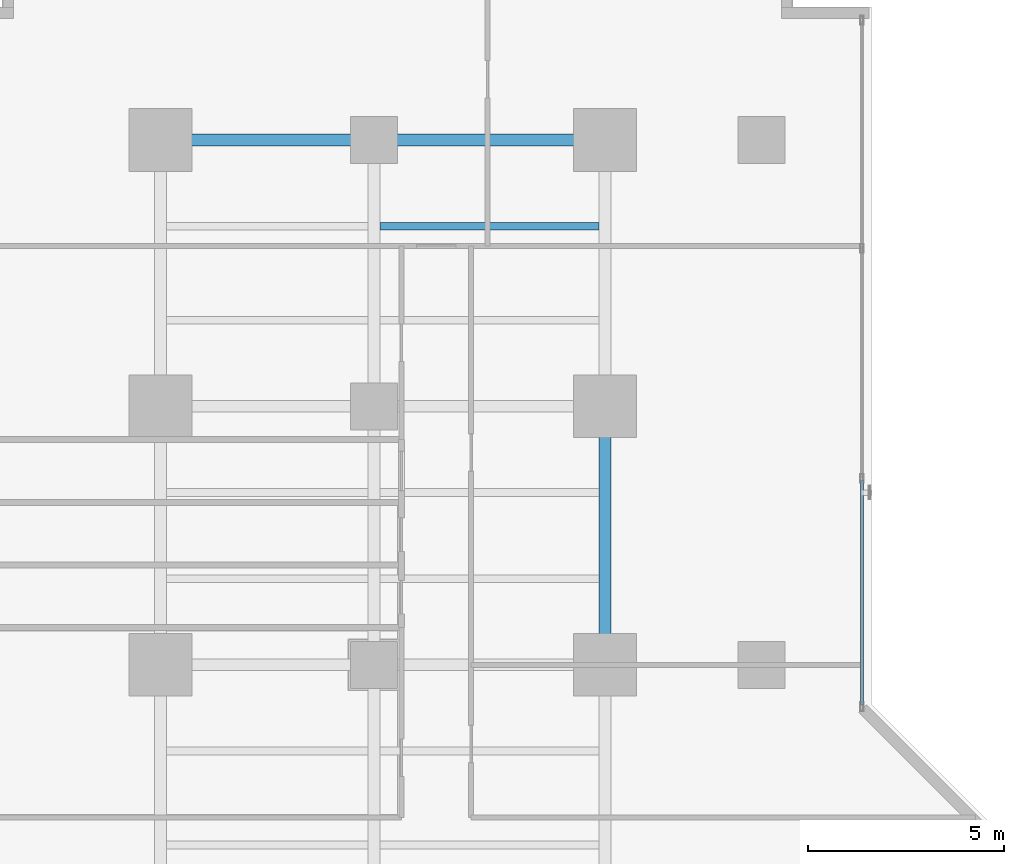
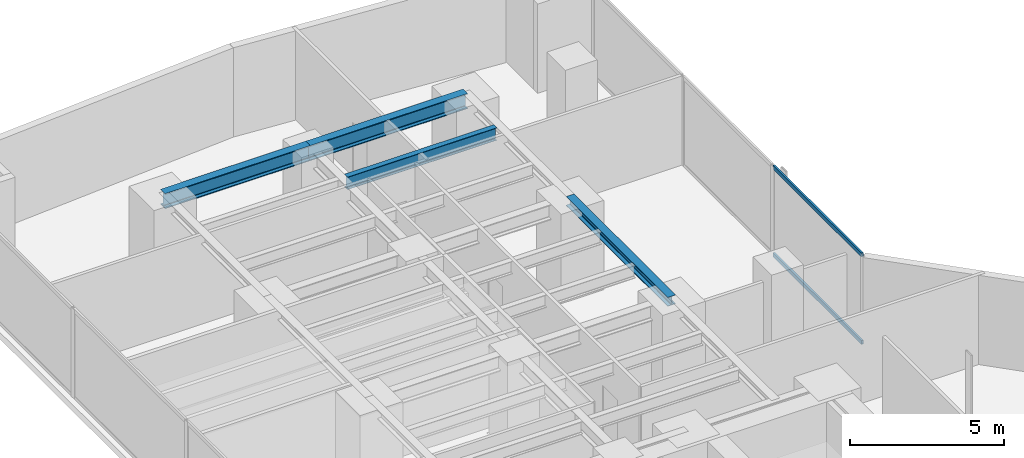
# One storey, part 18 of 30: 4 beams, 2 members, 1 element without a shape of its own.
"""IFC4 building model written with IfcOpenShell, lengths in metres."""

from ifc_helpers import new_model, si_unit, direction, frame, origin, origin_with_axes, origin_2d, place, context, subcontext, project, spatial, hollow_rectangle, i_section, extrude, source, transform, mapped, material, layer, layer_set, material_profile, profile_set, type_object, element, aggregate, save


model = new_model("IFC4")

# Units and contexts
model_context = context("Model", 3, precision=1e-05, world=origin(), true_north=direction((0.0, 1.0)))
body_context = subcontext(model_context, "Body", "Model", "MODEL_VIEW")
ifc_project = project(units=[si_unit("LENGTHUNIT", "METRE"), si_unit("AREAUNIT", "SQUARE_METRE"), si_unit("VOLUMEUNIT", "CUBIC_METRE"), si_unit("PLANEANGLEUNIT", "RADIAN"), si_unit("MASSUNIT", "GRAM", prefix="KILO")], contexts=[model_context])

# Site, building, storey
site_placement = place(None, origin())
site = spatial("IfcSite", under=ifc_project, at=site_placement, CompositionType="ELEMENT")
building_placement = place(site_placement, origin())
building = spatial("IfcBuilding", under=site, at=building_placement, Name="Kolvaren Waterfront Exchange", CompositionType="ELEMENT")
storey_placement = place(building_placement, frame((0.0, 0.0, 52.39990234375)))
storey = spatial("IfcBuildingStorey", under=building, at=storey_placement, Name="L13", CompositionType="ELEMENT", Elevation=52.39990234375)

# Beams
ifc_material_1 = material(Name="Steel S355", Category="steel")
ifc_material_profile_1 = material_profile(ifc_material_1, i_section(OverallWidth=0.300048828125, OverallDepth=0.360107421875, WebThickness=0.012451171875, FlangeThickness=0.0224609375, FilletRadius=0.027099609375, at=origin_2d()), Name="HEB360")
ifc_profile_set_1 = profile_set([ifc_material_profile_1], Name="Steel S355")
beam_type_1 = type_object("IfcBeamType", Name="STR-BM-HEB360", PredefinedType="SPANDREL", material=ifc_profile_set_1)
beam_1_placement = place(storey_placement, frame((18.800048828125, 31.199951171875, 3.360107421875), z_axis=(0.0, 1.0, 0.0), x_axis=(-1.0, 0.0, 0.0)))
element("IfcBeam", 1, at=beam_1_placement, inside=storey, type_object=beam_type_1, Name="L13 north-arm edge beam 2", PredefinedType="SPANDREL", context=body_context, shape_type="SweptSolid", body=[
    extrude(i_section(OverallWidth=0.300048828125, OverallDepth=0.360107421875, WebThickness=0.012451171875, FlangeThickness=0.0224609375, FilletRadius=0.027099609375, at=origin_2d()), origin(), (0.0, 0.0, 1.0), 6.60009765625),
])
ifc_material_profile_2 = material_profile(ifc_material_1, i_section(OverallWidth=0.300048828125, OverallDepth=0.60009765625, WebThickness=0.015380859375, FlangeThickness=0.030029296875, FilletRadius=0.027099609375, at=origin_2d()), Name="HEB600")
ifc_profile_set_2 = profile_set([ifc_material_profile_2], Name="Steel S355")
beam_type_2 = type_object("IfcBeamType", Name="STR-BM-HEB600", PredefinedType="BEAM", material=ifc_profile_set_2)
beam_2_placement = place(storey_placement, frame((7.449951171875, 44.60009765625, 3.239990234375), z_axis=(1.0, 0.0, 0.0), x_axis=(0.0, 1.0, 0.0)))
element("IfcBeam", 2, at=beam_2_placement, inside=storey, type_object=beam_type_2, Name="L13 north-arm girder 4A", PredefinedType="BEAM", context=body_context, shape_type="SweptSolid", body=[
    extrude(i_section(OverallWidth=0.300048828125, OverallDepth=0.60009765625, WebThickness=0.015380859375, FlangeThickness=0.030029296875, FilletRadius=0.027099609375, at=origin_2d()), origin(), (0.0, 0.0, 1.0), 5.449951171875),
])
beam_3_placement = place(storey_placement, frame((12.89990234375, 44.60009765625, 3.239990234375), z_axis=(1.0, 0.0, 0.0), x_axis=(0.0, 1.0, 0.0)))
element("IfcBeam", 3, at=beam_3_placement, inside=storey, type_object=beam_type_2, Name="L13 north-arm girder 4B", PredefinedType="BEAM", context=body_context, shape_type="SweptSolid", body=[
    extrude(i_section(OverallWidth=0.300048828125, OverallDepth=0.60009765625, WebThickness=0.015380859375, FlangeThickness=0.030029296875, FilletRadius=0.027099609375, at=origin_2d()), origin(), (0.0, 0.0, 1.0), 5.900146484375),
])
ifc_material_profile_3 = material_profile(ifc_material_1, i_section(OverallWidth=0.199951171875, OverallDepth=0.5, WebThickness=0.01025390625, FlangeThickness=0.01611328125, FilletRadius=0.02099609375, at=origin_2d()), Name="IPE500")
ifc_profile_set_3 = profile_set([ifc_material_profile_3], Name="Steel S355")
beam_type_3 = type_object("IfcBeamType", Name="STR-BM-IPE500", PredefinedType="JOIST", material=ifc_profile_set_3)
beam_4_placement = place(storey_placement, frame((13.052001953125, 42.39990234375, 3.2900390625), z_axis=(1.0, 0.0, 0.0), x_axis=(0.0, 1.0, 0.0)))
element("IfcBeam", 4, at=beam_4_placement, inside=storey, type_object=beam_type_3, Name="L13 north-arm composite joist 6B", PredefinedType="JOIST", context=body_context, shape_type="SweptSolid", body=[
    extrude(i_section(OverallWidth=0.199951171875, OverallDepth=0.5, WebThickness=0.01025390625, FlangeThickness=0.01611328125, FilletRadius=0.02099609375, at=origin_2d()), origin(), (0.0, 0.0, 1.0), 5.595947265625),
])

# Curtain wall, members
ifc_material_2 = material(Name="Anodised bronze aluminium 6063-T6", Category="aluminium")
ifc_layer = layer(ifc_material_2, 0.219970703125, Name="Anodised bronze aluminium 6063-T6")
ifc_layer_set = layer_set([ifc_layer], Name="Anodised bronze aluminium 6063-T6")
curtain_wall_type = type_object("IfcCurtainWallType", Name="ARC-CW-SYS1", PredefinedType="USERDEFINED", material=ifc_layer_set)
curtain_wall_placement = place(storey_placement, origin())
curtain_wall = element("IfcCurtainWall", 5, at=curtain_wall_placement, inside=storey, type_object=curtain_wall_type, Name="L13 stick curtain wall CW1 (CW-L13-NE)", ObjectType="STICK CURTAIN WALL", PredefinedType="USERDEFINED")
ifc_material_3 = material(Name="Anodised aluminium 6063-T6", Category="aluminium")
ifc_material_profile_4 = material_profile(ifc_material_3, hollow_rectangle(XDim=0.074951171875, YDim=0.159912109375, WallThickness=0.00439453125, at=origin_2d()), Name="ALU-TRN-160x75x4.5")
ifc_profile_set_4 = profile_set([ifc_material_profile_4], Name="Anodised aluminium 6063-T6")
member_type = type_object("IfcMemberType", Name="ARC-CWT-160", PredefinedType="USERDEFINED", material=ifc_profile_set_4)
shared_shape = source(origin_with_axes(), body_context, "Body", "SweptSolid", [
    extrude(hollow_rectangle(XDim=0.074951171875, YDim=0.159912109375, WallThickness=0.00439453125, at=origin_2d()), origin(), (0.0, 0.0, 1.0), 5.75),
])
member_1_placement = place(storey_placement, frame((25.360107421875, 30.169921875, 0.03759765625), z_axis=(0.0, 1.0, 0.0), x_axis=(-1.0, 0.0, 0.0)))
member_1 = element("IfcMember", 6, at=member_1_placement, type_object=member_type, Name="CW1 transom 1.1", ObjectType="TRANSOM", PredefinedType="USERDEFINED", context=body_context, shape_type="MappedRepresentation", body=[
    mapped(shared_shape, transform((0.0, 0.0, 0.0), x_axis=(1.0, 0.0, 0.0), y_axis=(0.0, 1.0, 0.0), z_axis=(0.0, 0.0, 1.0), scale=1.0)),
])
member_2_placement = place(storey_placement, frame((25.360107421875, 30.169921875, 3.502685546875), z_axis=(0.0, 1.0, 0.0), x_axis=(-1.0, 0.0, 0.0)))
member_2 = element("IfcMember", 7, at=member_2_placement, type_object=member_type, Name="CW1 transom 1.2", ObjectType="TRANSOM", PredefinedType="USERDEFINED", context=body_context, shape_type="MappedRepresentation", body=[
    mapped(shared_shape, transform((0.0, 0.0, 0.0), x_axis=(1.0, 0.0, 0.0), y_axis=(0.0, 1.0, 0.0), z_axis=(0.0, 0.0, 1.0), scale=1.0)),
])
aggregate(curtain_wall, [member_1, member_2])

save(model, "model.ifc")
